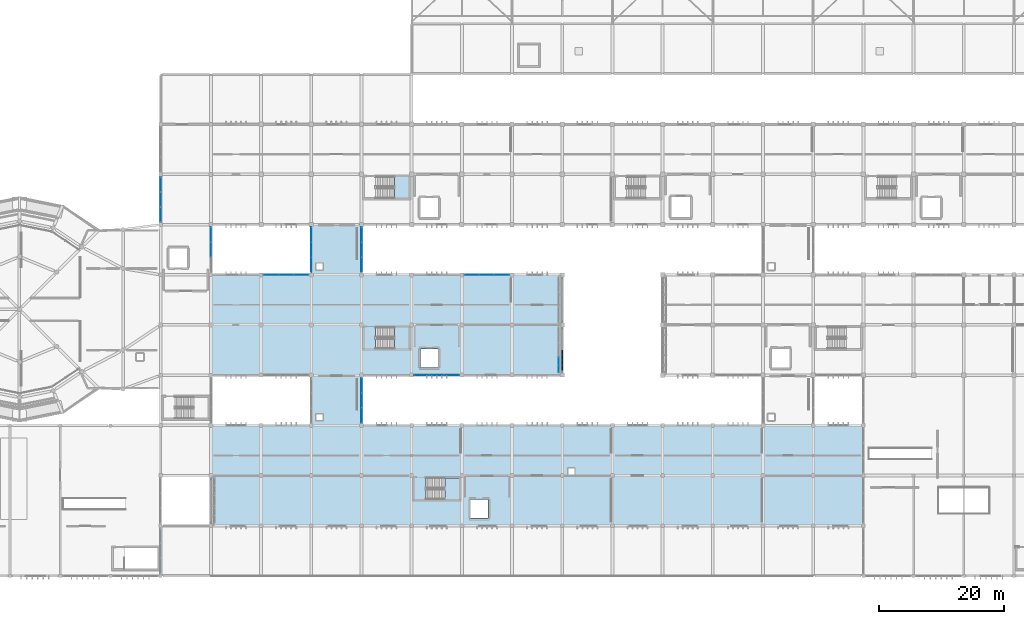
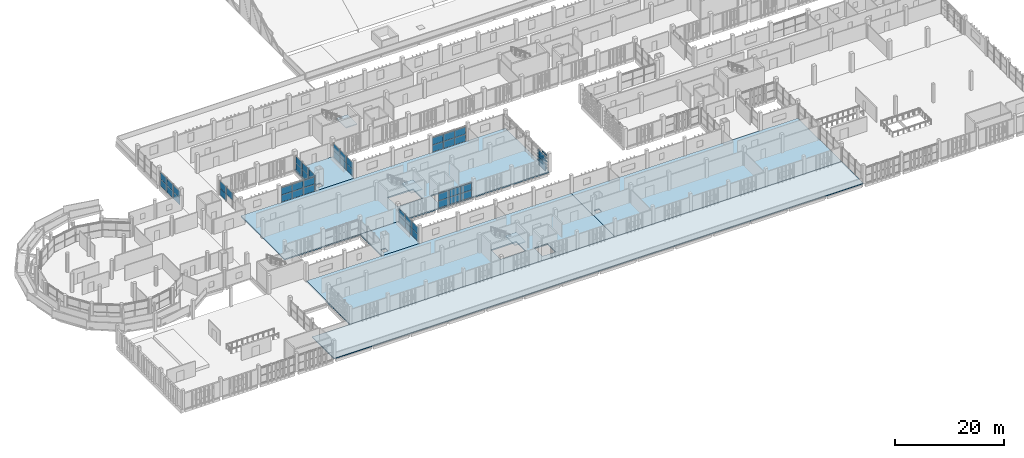
# One storey, part 92 of 137: 56 plates, 9 slabs, 12 elements without a shape of their own.
"""IFC4 building model written with IfcOpenShell, lengths in metres."""

from ifc_helpers import new_model, si_unit, direction, frame, origin, origin_2d, place, context, subcontext, project, spatial, polyline, rectangle, outline, extrude, material, layer, layer_set, type_object, element, aggregate, save


model = new_model("IFC4")

# Units and contexts
model_context = context("Model", 3, precision=1e-05, world=origin(), true_north=direction((0.0, 1.0)))
body_context = subcontext(model_context, "Body", "Model", "MODEL_VIEW")
ifc_project = project(units=[si_unit("LENGTHUNIT", "METRE"), si_unit("AREAUNIT", "SQUARE_METRE"), si_unit("VOLUMEUNIT", "CUBIC_METRE"), si_unit("PLANEANGLEUNIT", "RADIAN"), si_unit("MASSUNIT", "GRAM", prefix="KILO")], contexts=[model_context])

# Site, building, storey
site_placement = place(None, origin())
site = spatial("IfcSite", under=ifc_project, at=site_placement, CompositionType="ELEMENT")
building_placement = place(site_placement, origin())
building = spatial("IfcBuilding", under=site, at=building_placement, Name="Jelvoka-Kovrelna Polytechnic", CompositionType="ELEMENT")
storey_placement = place(building_placement, frame((0.0, 0.0, 9.60009765625)))
storey = spatial("IfcBuildingStorey", under=building, at=storey_placement, Name="L03", CompositionType="ELEMENT", Elevation=9.60009765625)

# Curtain wall, plates
ifc_material_1 = material(Name="Anodised aluminium 6063-T6", Category="aluminium")
ifc_layer_1 = layer(ifc_material_1, 0.159912109375)
ifc_layer_set_1 = layer_set([ifc_layer_1], Name="Anodised aluminium 6063-T6")
curtain_wall_type_1 = type_object("IfcCurtainWallType", Name="CW_Recessed_A", PredefinedType="NOTDEFINED", material=ifc_layer_set_1)
curtain_wall_1_placement = place(storey_placement, origin())
curtain_wall_1 = element("IfcCurtainWall", 1, at=curtain_wall_1_placement, inside=storey, type_object=curtain_wall_type_1, Name="L03 glazed curtain wall 022", PredefinedType="NOTDEFINED")
ifc_material_2 = material(Name="Solar-control double glazing", Category="glass")
ifc_layer_2 = layer(ifc_material_2, 0.028076171875)
ifc_layer_set_2 = layer_set([ifc_layer_2], Name="Solar-control double glazing")
plate_type_1 = type_object("IfcPlateType", Name="Panel_GP-01", PredefinedType="CURTAIN_PANEL", material=ifc_layer_set_2)
plate_1_placement = place(storey_placement, frame((65.614990234375, 48.0, 0.052001953125), z_axis=(0.0, 0.0, 1.0), x_axis=(1.0, 0.0, 0.0)))
plate_1 = element("IfcPlate", 2, at=plate_1_placement, type_object=plate_type_1, Name="CW-01 panel 1.1", PredefinedType="CURTAIN_PANEL", context=body_context, shape_type="SweptSolid", body=[
    extrude(rectangle(XDim=2.326171875, YDim=0.028076171875, at=origin_2d()), origin(), (0.0, 0.0, 1.0), 1.588623046875),
])
plate_2_placement = place(storey_placement, frame((65.614990234375, 48.0, 1.684326171875), z_axis=(0.0, 0.0, 1.0), x_axis=(1.0, 0.0, 0.0)))
plate_2 = element("IfcPlate", 3, at=plate_2_placement, type_object=plate_type_1, Name="CW-01 panel 1.2", PredefinedType="CURTAIN_PANEL", context=body_context, shape_type="SweptSolid", body=[
    extrude(rectangle(XDim=2.326171875, YDim=0.028076171875, at=origin_2d()), origin(), (0.0, 0.0, 1.0), 1.588623046875),
])
plate_3_placement = place(storey_placement, frame((68.0, 48.0, 0.052001953125), z_axis=(0.0, 0.0, 1.0), x_axis=(1.0, 0.0, 0.0)))
plate_3 = element("IfcPlate", 4, at=plate_3_placement, type_object=plate_type_1, Name="CW-01 panel 2.1", PredefinedType="CURTAIN_PANEL", context=body_context, shape_type="SweptSolid", body=[
    extrude(rectangle(XDim=2.356201171875, YDim=0.028076171875, at=origin_2d()), origin(), (0.0, 0.0, 1.0), 1.588623046875),
])
plate_4_placement = place(storey_placement, frame((68.0, 48.0, 1.684326171875), z_axis=(0.0, 0.0, 1.0), x_axis=(1.0, 0.0, 0.0)))
plate_4 = element("IfcPlate", 5, at=plate_4_placement, type_object=plate_type_1, Name="CW-01 panel 2.2", PredefinedType="CURTAIN_PANEL", context=body_context, shape_type="SweptSolid", body=[
    extrude(rectangle(XDim=2.356201171875, YDim=0.028076171875, at=origin_2d()), origin(), (0.0, 0.0, 1.0), 1.588623046875),
])
plate_5_placement = place(storey_placement, frame((70.385009765625, 48.0, 0.052001953125), z_axis=(0.0, 0.0, 1.0), x_axis=(1.0, 0.0, 0.0)))
plate_5 = element("IfcPlate", 6, at=plate_5_placement, type_object=plate_type_1, Name="CW-01 panel 3.1", PredefinedType="CURTAIN_PANEL", context=body_context, shape_type="SweptSolid", body=[
    extrude(rectangle(XDim=2.326171875, YDim=0.028076171875, at=origin_2d()), origin(), (0.0, 0.0, 1.0), 1.588623046875),
])
plate_6_placement = place(storey_placement, frame((70.385009765625, 48.0, 1.684326171875), z_axis=(0.0, 0.0, 1.0), x_axis=(1.0, 0.0, 0.0)))
plate_6 = element("IfcPlate", 7, at=plate_6_placement, type_object=plate_type_1, Name="CW-01 panel 3.2", PredefinedType="CURTAIN_PANEL", context=body_context, shape_type="SweptSolid", body=[
    extrude(rectangle(XDim=2.326171875, YDim=0.028076171875, at=origin_2d()), origin(), (0.0, 0.0, 1.0), 1.588623046875),
])
aggregate(curtain_wall_1, [plate_1, plate_2, plate_3, plate_4, plate_5, plate_6])

curtain_wall_2_placement = place(storey_placement, origin())
curtain_wall_2 = element("IfcCurtainWall", 8, at=curtain_wall_2_placement, inside=storey, type_object=curtain_wall_type_1, Name="L03 glazed curtain wall 023", PredefinedType="NOTDEFINED")
plate_7_placement = place(storey_placement, frame((94.385009765625, 32.0, 0.052001953125), z_axis=(0.0, 0.0, 1.0), x_axis=(-1.0, 0.0, 0.0)))
plate_7 = element("IfcPlate", 9, at=plate_7_placement, type_object=plate_type_1, Name="CW-01 panel 1.1", PredefinedType="CURTAIN_PANEL", context=body_context, shape_type="SweptSolid", body=[
    extrude(rectangle(XDim=2.326171875, YDim=0.028076171875, at=origin_2d()), origin(), (0.0, 0.0, 1.0), 1.588623046875),
])
plate_8_placement = place(storey_placement, frame((94.385009765625, 32.0, 1.684326171875), z_axis=(0.0, 0.0, 1.0), x_axis=(-1.0, 0.0, 0.0)))
plate_8 = element("IfcPlate", 10, at=plate_8_placement, type_object=plate_type_1, Name="CW-01 panel 1.2", PredefinedType="CURTAIN_PANEL", context=body_context, shape_type="SweptSolid", body=[
    extrude(rectangle(XDim=2.326171875, YDim=0.028076171875, at=origin_2d()), origin(), (0.0, 0.0, 1.0), 1.588623046875),
])
plate_9_placement = place(storey_placement, frame((92.0, 32.0, 0.052001953125), z_axis=(0.0, 0.0, 1.0), x_axis=(-1.0, 0.0, 0.0)))
plate_9 = element("IfcPlate", 11, at=plate_9_placement, type_object=plate_type_1, Name="CW-01 panel 2.1", PredefinedType="CURTAIN_PANEL", context=body_context, shape_type="SweptSolid", body=[
    extrude(rectangle(XDim=2.356201171875, YDim=0.028076171875, at=origin_2d()), origin(), (0.0, 0.0, 1.0), 1.588623046875),
])
plate_10_placement = place(storey_placement, frame((92.0, 32.0, 1.684326171875), z_axis=(0.0, 0.0, 1.0), x_axis=(-1.0, 0.0, 0.0)))
plate_10 = element("IfcPlate", 12, at=plate_10_placement, type_object=plate_type_1, Name="CW-01 panel 2.2", PredefinedType="CURTAIN_PANEL", context=body_context, shape_type="SweptSolid", body=[
    extrude(rectangle(XDim=2.356201171875, YDim=0.028076171875, at=origin_2d()), origin(), (0.0, 0.0, 1.0), 1.588623046875),
])
plate_11_placement = place(storey_placement, frame((89.614990234375, 32.0, 0.052001953125), z_axis=(0.0, 0.0, 1.0), x_axis=(-1.0, 0.0, 0.0)))
plate_11 = element("IfcPlate", 13, at=plate_11_placement, type_object=plate_type_1, Name="CW-01 panel 3.1", PredefinedType="CURTAIN_PANEL", context=body_context, shape_type="SweptSolid", body=[
    extrude(rectangle(XDim=2.326171875, YDim=0.028076171875, at=origin_2d()), origin(), (0.0, 0.0, 1.0), 1.588623046875),
])
plate_12_placement = place(storey_placement, frame((89.614990234375, 32.0, 1.684326171875), z_axis=(0.0, 0.0, 1.0), x_axis=(-1.0, 0.0, 0.0)))
plate_12 = element("IfcPlate", 14, at=plate_12_placement, type_object=plate_type_1, Name="CW-01 panel 3.2", PredefinedType="CURTAIN_PANEL", context=body_context, shape_type="SweptSolid", body=[
    extrude(rectangle(XDim=2.326171875, YDim=0.028076171875, at=origin_2d()), origin(), (0.0, 0.0, 1.0), 1.588623046875),
])
aggregate(curtain_wall_2, [plate_7, plate_8, plate_9, plate_10, plate_11, plate_12])

curtain_wall_3_placement = place(storey_placement, origin())
curtain_wall_3 = element("IfcCurtainWall", 15, at=curtain_wall_3_placement, inside=storey, type_object=curtain_wall_type_1, Name="L03 glazed curtain wall 024", PredefinedType="NOTDEFINED")
plate_13_placement = place(storey_placement, frame((97.614990234375, 48.0, 0.052001953125), z_axis=(0.0, 0.0, 1.0), x_axis=(1.0, 0.0, 0.0)))
plate_13 = element("IfcPlate", 16, at=plate_13_placement, type_object=plate_type_1, Name="CW-01 panel 1.1", PredefinedType="CURTAIN_PANEL", context=body_context, shape_type="SweptSolid", body=[
    extrude(rectangle(XDim=2.326171875, YDim=0.028076171875, at=origin_2d()), origin(), (0.0, 0.0, 1.0), 1.588623046875),
])
plate_14_placement = place(storey_placement, frame((97.614990234375, 48.0, 1.684326171875), z_axis=(0.0, 0.0, 1.0), x_axis=(1.0, 0.0, 0.0)))
plate_14 = element("IfcPlate", 17, at=plate_14_placement, type_object=plate_type_1, Name="CW-01 panel 1.2", PredefinedType="CURTAIN_PANEL", context=body_context, shape_type="SweptSolid", body=[
    extrude(rectangle(XDim=2.326171875, YDim=0.028076171875, at=origin_2d()), origin(), (0.0, 0.0, 1.0), 1.588623046875),
])
plate_15_placement = place(storey_placement, frame((100.0, 48.0, 0.052001953125), z_axis=(0.0, 0.0, 1.0), x_axis=(1.0, 0.0, 0.0)))
plate_15 = element("IfcPlate", 18, at=plate_15_placement, type_object=plate_type_1, Name="CW-01 panel 2.1", PredefinedType="CURTAIN_PANEL", context=body_context, shape_type="SweptSolid", body=[
    extrude(rectangle(XDim=2.356201171875, YDim=0.028076171875, at=origin_2d()), origin(), (0.0, 0.0, 1.0), 1.588623046875),
])
plate_16_placement = place(storey_placement, frame((100.0, 48.0, 1.684326171875), z_axis=(0.0, 0.0, 1.0), x_axis=(1.0, 0.0, 0.0)))
plate_16 = element("IfcPlate", 19, at=plate_16_placement, type_object=plate_type_1, Name="CW-01 panel 2.2", PredefinedType="CURTAIN_PANEL", context=body_context, shape_type="SweptSolid", body=[
    extrude(rectangle(XDim=2.356201171875, YDim=0.028076171875, at=origin_2d()), origin(), (0.0, 0.0, 1.0), 1.588623046875),
])
plate_17_placement = place(storey_placement, frame((102.385009765625, 48.0, 0.052001953125), z_axis=(0.0, 0.0, 1.0), x_axis=(1.0, 0.0, 0.0)))
plate_17 = element("IfcPlate", 20, at=plate_17_placement, type_object=plate_type_1, Name="CW-01 panel 3.1", PredefinedType="CURTAIN_PANEL", context=body_context, shape_type="SweptSolid", body=[
    extrude(rectangle(XDim=2.326171875, YDim=0.028076171875, at=origin_2d()), origin(), (0.0, 0.0, 1.0), 1.588623046875),
])
plate_18_placement = place(storey_placement, frame((102.385009765625, 48.0, 1.684326171875), z_axis=(0.0, 0.0, 1.0), x_axis=(1.0, 0.0, 0.0)))
plate_18 = element("IfcPlate", 21, at=plate_18_placement, type_object=plate_type_1, Name="CW-01 panel 3.2", PredefinedType="CURTAIN_PANEL", context=body_context, shape_type="SweptSolid", body=[
    extrude(rectangle(XDim=2.326171875, YDim=0.028076171875, at=origin_2d()), origin(), (0.0, 0.0, 1.0), 1.588623046875),
])
aggregate(curtain_wall_3, [plate_13, plate_14, plate_15, plate_16, plate_17, plate_18])

curtain_wall_4_placement = place(storey_placement, origin())
curtain_wall_4 = element("IfcCurtainWall", 22, at=curtain_wall_4_placement, inside=storey, type_object=curtain_wall_type_1, Name="L03 glazed curtain wall 025", PredefinedType="NOTDEFINED")
plate_19_placement = place(storey_placement, frame((111.43994140625, 33.614990234375, 0.0517578125), z_axis=(0.0, 0.0, 1.0), x_axis=(0.0, -1.0, 0.0)))
plate_19 = element("IfcPlate", 23, at=plate_19_placement, type_object=plate_type_1, Name="CW-01 panel 3.1", PredefinedType="CURTAIN_PANEL", context=body_context, shape_type="SweptSolid", body=[
    extrude(rectangle(XDim=2.326171875, YDim=0.028076171875, at=origin_2d()), origin(), (0.0, 0.0, 1.0), 1.60107421875),
])
plate_20_placement = place(storey_placement, frame((111.43994140625, 33.614990234375, 1.69677734375), z_axis=(0.0, 0.0, 1.0), x_axis=(0.0, -1.0, 0.0)))
plate_20 = element("IfcPlate", 24, at=plate_20_placement, type_object=plate_type_1, Name="CW-01 panel 3.2", PredefinedType="CURTAIN_PANEL", context=body_context, shape_type="SweptSolid", body=[
    extrude(rectangle(XDim=2.326171875, YDim=0.028076171875, at=origin_2d()), origin(), (0.0, 0.0, 1.0), 1.60107421875),
])
aggregate(curtain_wall_4, [plate_19, plate_20])

ifc_material_3 = material(Name="Anodised aluminium 6063-T6", Category="aluminium")
ifc_layer_3 = layer(ifc_material_3, 0.159912109375)
ifc_layer_set_3 = layer_set([ifc_layer_3], Name="Anodised aluminium 6063-T6")
curtain_wall_type_2 = type_object("IfcCurtainWallType", Name="CW_LinkBridge", PredefinedType="NOTDEFINED", material=ifc_layer_set_3)
curtain_wall_5_placement = place(storey_placement, origin())
curtain_wall_5 = element("IfcCurtainWall", 25, at=curtain_wall_5_placement, inside=storey, type_object=curtain_wall_type_2, Name="L03 glazed curtain wall 122", PredefinedType="NOTDEFINED")
ifc_material_4 = material(Name="Solar-control double glazing", Category="glass")
ifc_layer_4 = layer(ifc_material_4, 0.02392578125)
ifc_layer_set_4 = layer_set([ifc_layer_4], Name="Solar-control double glazing")
plate_type_2 = type_object("IfcPlateType", Name="Panel_GP-04", PredefinedType="CURTAIN_PANEL", material=ifc_layer_set_4)
plate_21_placement = place(storey_placement, frame((72.0, 49.614990234375, 0.0517578125), z_axis=(0.0, 0.0, 1.0), x_axis=(0.0, 1.0, 0.0)))
plate_21 = element("IfcPlate", 26, at=plate_21_placement, type_object=plate_type_2, Name="CW-04 panel 1.1", PredefinedType="CURTAIN_PANEL", context=body_context, shape_type="SweptSolid", body=[
    extrude(rectangle(XDim=2.326171875, YDim=0.02392578125, at=origin_2d()), origin(), (0.0, 0.0, 1.0), 1.53857421875),
])
plate_22_placement = place(storey_placement, frame((72.0, 49.614990234375, 1.63427734375), z_axis=(0.0, 0.0, 1.0), x_axis=(0.0, 1.0, 0.0)))
plate_22 = element("IfcPlate", 27, at=plate_22_placement, type_object=plate_type_2, Name="CW-04 panel 1.2", PredefinedType="CURTAIN_PANEL", context=body_context, shape_type="SweptSolid", body=[
    extrude(rectangle(XDim=2.326171875, YDim=0.02392578125, at=origin_2d()), origin(), (0.0, 0.0, 1.0), 1.53857421875),
])
plate_23_placement = place(storey_placement, frame((72.0, 52.0, 0.0517578125), z_axis=(0.0, 0.0, 1.0), x_axis=(0.0, 1.0, 0.0)))
plate_23 = element("IfcPlate", 28, at=plate_23_placement, type_object=plate_type_2, Name="CW-04 panel 2.1", PredefinedType="CURTAIN_PANEL", context=body_context, shape_type="SweptSolid", body=[
    extrude(rectangle(XDim=2.356201171875, YDim=0.02392578125, at=origin_2d()), origin(), (0.0, 0.0, 1.0), 1.53857421875),
])
plate_24_placement = place(storey_placement, frame((72.0, 52.0, 1.63427734375), z_axis=(0.0, 0.0, 1.0), x_axis=(0.0, 1.0, 0.0)))
plate_24 = element("IfcPlate", 29, at=plate_24_placement, type_object=plate_type_2, Name="CW-04 panel 2.2", PredefinedType="CURTAIN_PANEL", context=body_context, shape_type="SweptSolid", body=[
    extrude(rectangle(XDim=2.356201171875, YDim=0.02392578125, at=origin_2d()), origin(), (0.0, 0.0, 1.0), 1.53857421875),
])
plate_25_placement = place(storey_placement, frame((72.0, 54.385009765625, 0.0517578125), z_axis=(0.0, 0.0, 1.0), x_axis=(0.0, 1.0, 0.0)))
plate_25 = element("IfcPlate", 30, at=plate_25_placement, type_object=plate_type_2, Name="CW-04 panel 3.1", PredefinedType="CURTAIN_PANEL", context=body_context, shape_type="SweptSolid", body=[
    extrude(rectangle(XDim=2.326171875, YDim=0.02392578125, at=origin_2d()), origin(), (0.0, 0.0, 1.0), 1.53857421875),
])
plate_26_placement = place(storey_placement, frame((72.0, 54.385009765625, 1.63427734375), z_axis=(0.0, 0.0, 1.0), x_axis=(0.0, 1.0, 0.0)))
plate_26 = element("IfcPlate", 31, at=plate_26_placement, type_object=plate_type_2, Name="CW-04 panel 3.2", PredefinedType="CURTAIN_PANEL", context=body_context, shape_type="SweptSolid", body=[
    extrude(rectangle(XDim=2.326171875, YDim=0.02392578125, at=origin_2d()), origin(), (0.0, 0.0, 1.0), 1.53857421875),
])
aggregate(curtain_wall_5, [plate_21, plate_22, plate_23, plate_24, plate_25, plate_26])

curtain_wall_6_placement = place(storey_placement, origin())
curtain_wall_6 = element("IfcCurtainWall", 32, at=curtain_wall_6_placement, inside=storey, type_object=curtain_wall_type_2, Name="L03 glazed curtain wall 123", PredefinedType="NOTDEFINED")
plate_27_placement = place(storey_placement, frame((80.0, 54.385009765625, 0.0517578125), z_axis=(0.0, 0.0, 1.0), x_axis=(0.0, -1.0, 0.0)))
plate_27 = element("IfcPlate", 33, at=plate_27_placement, type_object=plate_type_2, Name="CW-04 panel 1.1", PredefinedType="CURTAIN_PANEL", context=body_context, shape_type="SweptSolid", body=[
    extrude(rectangle(XDim=2.326171875, YDim=0.02392578125, at=origin_2d()), origin(), (0.0, 0.0, 1.0), 1.53857421875),
])
plate_28_placement = place(storey_placement, frame((80.0, 54.385009765625, 1.63427734375), z_axis=(0.0, 0.0, 1.0), x_axis=(0.0, -1.0, 0.0)))
plate_28 = element("IfcPlate", 34, at=plate_28_placement, type_object=plate_type_2, Name="CW-04 panel 1.2", PredefinedType="CURTAIN_PANEL", context=body_context, shape_type="SweptSolid", body=[
    extrude(rectangle(XDim=2.326171875, YDim=0.02392578125, at=origin_2d()), origin(), (0.0, 0.0, 1.0), 1.53857421875),
])
plate_29_placement = place(storey_placement, frame((80.0, 52.0, 0.0517578125), z_axis=(0.0, 0.0, 1.0), x_axis=(0.0, -1.0, 0.0)))
plate_29 = element("IfcPlate", 35, at=plate_29_placement, type_object=plate_type_2, Name="CW-04 panel 2.1", PredefinedType="CURTAIN_PANEL", context=body_context, shape_type="SweptSolid", body=[
    extrude(rectangle(XDim=2.356201171875, YDim=0.02392578125, at=origin_2d()), origin(), (0.0, 0.0, 1.0), 1.53857421875),
])
plate_30_placement = place(storey_placement, frame((80.0, 52.0, 1.63427734375), z_axis=(0.0, 0.0, 1.0), x_axis=(0.0, -1.0, 0.0)))
plate_30 = element("IfcPlate", 36, at=plate_30_placement, type_object=plate_type_2, Name="CW-04 panel 2.2", PredefinedType="CURTAIN_PANEL", context=body_context, shape_type="SweptSolid", body=[
    extrude(rectangle(XDim=2.356201171875, YDim=0.02392578125, at=origin_2d()), origin(), (0.0, 0.0, 1.0), 1.53857421875),
])
plate_31_placement = place(storey_placement, frame((80.0, 49.614990234375, 0.0517578125), z_axis=(0.0, 0.0, 1.0), x_axis=(0.0, -1.0, 0.0)))
plate_31 = element("IfcPlate", 37, at=plate_31_placement, type_object=plate_type_2, Name="CW-04 panel 3.1", PredefinedType="CURTAIN_PANEL", context=body_context, shape_type="SweptSolid", body=[
    extrude(rectangle(XDim=2.326171875, YDim=0.02392578125, at=origin_2d()), origin(), (0.0, 0.0, 1.0), 1.53857421875),
])
plate_32_placement = place(storey_placement, frame((80.0, 49.614990234375, 1.63427734375), z_axis=(0.0, 0.0, 1.0), x_axis=(0.0, -1.0, 0.0)))
plate_32 = element("IfcPlate", 38, at=plate_32_placement, type_object=plate_type_2, Name="CW-04 panel 3.2", PredefinedType="CURTAIN_PANEL", context=body_context, shape_type="SweptSolid", body=[
    extrude(rectangle(XDim=2.326171875, YDim=0.02392578125, at=origin_2d()), origin(), (0.0, 0.0, 1.0), 1.53857421875),
])
aggregate(curtain_wall_6, [plate_27, plate_28, plate_29, plate_30, plate_31, plate_32])

curtain_wall_7_placement = place(storey_placement, origin())
curtain_wall_7 = element("IfcCurtainWall", 39, at=curtain_wall_7_placement, inside=storey, type_object=curtain_wall_type_2, Name="L03 glazed curtain wall 125", PredefinedType="NOTDEFINED")
plate_33_placement = place(storey_placement, frame((80.0, 30.385009765625, 0.0517578125), z_axis=(0.0, 0.0, 1.0), x_axis=(0.0, -1.0, 0.0)))
plate_33 = element("IfcPlate", 40, at=plate_33_placement, type_object=plate_type_2, Name="CW-04 panel 1.1", PredefinedType="CURTAIN_PANEL", context=body_context, shape_type="SweptSolid", body=[
    extrude(rectangle(XDim=2.326171875, YDim=0.02392578125, at=origin_2d()), origin(), (0.0, 0.0, 1.0), 1.53857421875),
])
plate_34_placement = place(storey_placement, frame((80.0, 30.385009765625, 1.63427734375), z_axis=(0.0, 0.0, 1.0), x_axis=(0.0, -1.0, 0.0)))
plate_34 = element("IfcPlate", 41, at=plate_34_placement, type_object=plate_type_2, Name="CW-04 panel 1.2", PredefinedType="CURTAIN_PANEL", context=body_context, shape_type="SweptSolid", body=[
    extrude(rectangle(XDim=2.326171875, YDim=0.02392578125, at=origin_2d()), origin(), (0.0, 0.0, 1.0), 1.53857421875),
])
plate_35_placement = place(storey_placement, frame((80.0, 28.0, 0.0517578125), z_axis=(0.0, 0.0, 1.0), x_axis=(0.0, -1.0, 0.0)))
plate_35 = element("IfcPlate", 42, at=plate_35_placement, type_object=plate_type_2, Name="CW-04 panel 2.1", PredefinedType="CURTAIN_PANEL", context=body_context, shape_type="SweptSolid", body=[
    extrude(rectangle(XDim=2.356201171875, YDim=0.02392578125, at=origin_2d()), origin(), (0.0, 0.0, 1.0), 1.53857421875),
])
plate_36_placement = place(storey_placement, frame((80.0, 28.0, 1.63427734375), z_axis=(0.0, 0.0, 1.0), x_axis=(0.0, -1.0, 0.0)))
plate_36 = element("IfcPlate", 43, at=plate_36_placement, type_object=plate_type_2, Name="CW-04 panel 2.2", PredefinedType="CURTAIN_PANEL", context=body_context, shape_type="SweptSolid", body=[
    extrude(rectangle(XDim=2.356201171875, YDim=0.02392578125, at=origin_2d()), origin(), (0.0, 0.0, 1.0), 1.53857421875),
])
plate_37_placement = place(storey_placement, frame((80.0, 25.614990234375, 0.0517578125), z_axis=(0.0, 0.0, 1.0), x_axis=(0.0, -1.0, 0.0)))
plate_37 = element("IfcPlate", 44, at=plate_37_placement, type_object=plate_type_2, Name="CW-04 panel 3.1", PredefinedType="CURTAIN_PANEL", context=body_context, shape_type="SweptSolid", body=[
    extrude(rectangle(XDim=2.326171875, YDim=0.02392578125, at=origin_2d()), origin(), (0.0, 0.0, 1.0), 1.53857421875),
])
plate_38_placement = place(storey_placement, frame((80.0, 25.614990234375, 1.63427734375), z_axis=(0.0, 0.0, 1.0), x_axis=(0.0, -1.0, 0.0)))
plate_38 = element("IfcPlate", 45, at=plate_38_placement, type_object=plate_type_2, Name="CW-04 panel 3.2", PredefinedType="CURTAIN_PANEL", context=body_context, shape_type="SweptSolid", body=[
    extrude(rectangle(XDim=2.326171875, YDim=0.02392578125, at=origin_2d()), origin(), (0.0, 0.0, 1.0), 1.53857421875),
])
aggregate(curtain_wall_7, [plate_33, plate_34, plate_35, plate_36, plate_37, plate_38])

ifc_material_5 = material(Name="Anodised aluminium 6063-T6", Category="aluminium")
ifc_layer_5 = layer(ifc_material_5, 0.179931640625)
ifc_layer_set_5 = layer_set([ifc_layer_5], Name="Anodised aluminium 6063-T6")
curtain_wall_type_3 = type_object("IfcCurtainWallType", Name="CW_Pavilion", PredefinedType="NOTDEFINED", material=ifc_layer_set_5)
curtain_wall_8_placement = place(storey_placement, origin())
curtain_wall_8 = element("IfcCurtainWall", 46, at=curtain_wall_8_placement, inside=storey, type_object=curtain_wall_type_3, Name="L03 glazed curtain wall 129", PredefinedType="NOTDEFINED")
ifc_material_6 = material(Name="Solar-control double glazing", Category="glass")
ifc_layer_6 = layer(ifc_material_6, 0.030029296875)
ifc_layer_set_6 = layer_set([ifc_layer_6], Name="Solar-control double glazing")
plate_type_3 = type_object("IfcPlateType", Name="Panel_GP-05", PredefinedType="CURTAIN_PANEL", material=ifc_layer_set_6)
plate_39_placement = place(storey_placement, frame((56.0, 54.3837890625, 0.056884765625), z_axis=(0.0, 0.0, 1.0), x_axis=(0.0, -1.0, 0.0)))
plate_39 = element("IfcPlate", 47, at=plate_39_placement, type_object=plate_type_3, Name="CW-05 panel 1.1", PredefinedType="CURTAIN_PANEL", context=body_context, shape_type="SweptSolid", body=[
    extrude(rectangle(XDim=2.318603515625, YDim=0.030029296875, at=origin_2d()), origin(), (0.0, 0.0, 1.0), 1.531005859375),
])
plate_40_placement = place(storey_placement, frame((56.0, 54.3837890625, 1.636962890625), z_axis=(0.0, 0.0, 1.0), x_axis=(0.0, -1.0, 0.0)))
plate_40 = element("IfcPlate", 48, at=plate_40_placement, type_object=plate_type_3, Name="CW-05 panel 1.2", PredefinedType="CURTAIN_PANEL", context=body_context, shape_type="SweptSolid", body=[
    extrude(rectangle(XDim=2.318603515625, YDim=0.030029296875, at=origin_2d()), origin(), (0.0, 0.0, 1.0), 1.531005859375),
])
plate_41_placement = place(storey_placement, frame((56.0, 52.0, 1.636962890625), z_axis=(0.0, 0.0, 1.0), x_axis=(0.0, -1.0, 0.0)))
plate_41 = element("IfcPlate", 49, at=plate_41_placement, type_object=plate_type_3, Name="CW-05 panel 2.2", PredefinedType="CURTAIN_PANEL", context=body_context, shape_type="SweptSolid", body=[
    extrude(rectangle(XDim=2.35107421875, YDim=0.030029296875, at=origin_2d()), origin(), (0.0, 0.0, 1.0), 1.531005859375),
])
aggregate(curtain_wall_8, [plate_39, plate_40, plate_41])

curtain_wall_9_placement = place(storey_placement, origin())
curtain_wall_9 = element("IfcCurtainWall", 50, at=curtain_wall_9_placement, inside=storey, type_object=curtain_wall_type_3, Name="L03 glazed curtain wall 130", PredefinedType="NOTDEFINED")
plate_42_placement = place(storey_placement, frame((48.0, 57.6162109375, 0.056884765625), z_axis=(0.0, 0.0, 1.0), x_axis=(0.0, 1.0, 0.0)))
plate_42 = element("IfcPlate", 51, at=plate_42_placement, type_object=plate_type_3, Name="CW-05 panel 1.1", PredefinedType="CURTAIN_PANEL", context=body_context, shape_type="SweptSolid", body=[
    extrude(rectangle(XDim=2.318603515625, YDim=0.030029296875, at=origin_2d()), origin(), (0.0, 0.0, 1.0), 1.531005859375),
])
plate_43_placement = place(storey_placement, frame((48.0, 57.6162109375, 1.636962890625), z_axis=(0.0, 0.0, 1.0), x_axis=(0.0, 1.0, 0.0)))
plate_43 = element("IfcPlate", 52, at=plate_43_placement, type_object=plate_type_3, Name="CW-05 panel 1.2", PredefinedType="CURTAIN_PANEL", context=body_context, shape_type="SweptSolid", body=[
    extrude(rectangle(XDim=2.318603515625, YDim=0.030029296875, at=origin_2d()), origin(), (0.0, 0.0, 1.0), 1.531005859375),
])
plate_44_placement = place(storey_placement, frame((48.0, 60.0, 0.056884765625), z_axis=(0.0, 0.0, 1.0), x_axis=(0.0, 1.0, 0.0)))
plate_44 = element("IfcPlate", 53, at=plate_44_placement, type_object=plate_type_3, Name="CW-05 panel 2.1", PredefinedType="CURTAIN_PANEL", context=body_context, shape_type="SweptSolid", body=[
    extrude(rectangle(XDim=2.35107421875, YDim=0.030029296875, at=origin_2d()), origin(), (0.0, 0.0, 1.0), 1.531005859375),
])
plate_45_placement = place(storey_placement, frame((48.0, 60.0, 1.636962890625), z_axis=(0.0, 0.0, 1.0), x_axis=(0.0, 1.0, 0.0)))
plate_45 = element("IfcPlate", 54, at=plate_45_placement, type_object=plate_type_3, Name="CW-05 panel 2.2", PredefinedType="CURTAIN_PANEL", context=body_context, shape_type="SweptSolid", body=[
    extrude(rectangle(XDim=2.35107421875, YDim=0.030029296875, at=origin_2d()), origin(), (0.0, 0.0, 1.0), 1.531005859375),
])
plate_46_placement = place(storey_placement, frame((48.0, 62.3837890625, 0.056884765625), z_axis=(0.0, 0.0, 1.0), x_axis=(0.0, 1.0, 0.0)))
plate_46 = element("IfcPlate", 55, at=plate_46_placement, type_object=plate_type_3, Name="CW-05 panel 3.1", PredefinedType="CURTAIN_PANEL", context=body_context, shape_type="SweptSolid", body=[
    extrude(rectangle(XDim=2.318603515625, YDim=0.030029296875, at=origin_2d()), origin(), (0.0, 0.0, 1.0), 1.531005859375),
])
plate_47_placement = place(storey_placement, frame((48.0, 62.3837890625, 1.636962890625), z_axis=(0.0, 0.0, 1.0), x_axis=(0.0, 1.0, 0.0)))
plate_47 = element("IfcPlate", 56, at=plate_47_placement, type_object=plate_type_3, Name="CW-05 panel 3.2", PredefinedType="CURTAIN_PANEL", context=body_context, shape_type="SweptSolid", body=[
    extrude(rectangle(XDim=2.318603515625, YDim=0.030029296875, at=origin_2d()), origin(), (0.0, 0.0, 1.0), 1.531005859375),
])
aggregate(curtain_wall_9, [plate_42, plate_43, plate_44, plate_45, plate_46, plate_47])

# Plates
ifc_material_7 = material(Name="Perforated fired terracotta block", Category="masonry")
ifc_layer_7 = layer(ifc_material_7, 0.179931640625)
ifc_layer_set_7 = layer_set([ifc_layer_7], Name="Perforated fired terracotta block")
plate_type_4 = type_object("IfcPlateType", Name="Screen_Terracotta_TP02", PredefinedType="USERDEFINED", material=ifc_layer_set_7)
for number, where, z_axis, x_axis, name in (
    (57, (111.97998046875, 33.60009765625, 0.19970703125), (0.0, 0.0, 1.0), (0.0, 1.0, 0.0), "L03 perforated terracotta lattice band 0241"),
    (58, (111.97998046875, 33.60009765625, 0.892578125), (0.0, 0.0, 1.0), (0.0, 1.0, 0.0), "L03 perforated terracotta lattice band 0242"),
    (59, (111.97998046875, 33.60009765625, 1.5849609375), (0.0, 0.0, 1.0), (0.0, 1.0, 0.0), "L03 perforated terracotta lattice band 0243"),
    (60, (111.97998046875, 33.60009765625, 2.27734375), (0.0, 0.0, 1.0), (0.0, 1.0, 0.0), "L03 perforated terracotta lattice band 0244"),
    (61, (111.97998046875, 33.60009765625, 2.9697265625), (0.0, 0.0, 1.0), (0.0, 1.0, 0.0), "L03 perforated terracotta lattice band 0245"),
    (62, (111.97998046875, 35.199951171875, 0.19970703125), (0.0, 0.0, 1.0), (0.0, 1.0, 0.0), "L03 perforated terracotta lattice band 0246"),
    (63, (111.97998046875, 35.199951171875, 0.892578125), (0.0, 0.0, 1.0), (0.0, 1.0, 0.0), "L03 perforated terracotta lattice band 0247"),
    (64, (111.97998046875, 35.199951171875, 1.5849609375), (0.0, 0.0, 1.0), (0.0, 1.0, 0.0), "L03 perforated terracotta lattice band 0248"),
    (65, (111.97998046875, 35.199951171875, 2.27734375), (0.0, 0.0, 1.0), (0.0, 1.0, 0.0), "L03 perforated terracotta lattice band 0249"),
):
    element("IfcPlate", number, at=place(storey_placement, frame(where, z_axis=z_axis, x_axis=x_axis)), inside=storey, type_object=plate_type_4, Name=name, ObjectType="SCREEN PANEL", PredefinedType="USERDEFINED", context=body_context, shape_type="SweptSolid", body=[
        extrude(rectangle(XDim=1.60009765625, YDim=0.179931640625, at=origin_2d()), origin(), (0.0, 0.0, 1.0), 0.239990234375),
    ])

# Slabs
ifc_material_8 = material(Name="Concrete C35/45", Category="concrete")
ifc_layer_8 = layer(ifc_material_8, 0.264892578125)
ifc_layer_set_8 = layer_set([ifc_layer_8], Name="Concrete C35/45")
slab_type_1 = type_object("IfcSlabType", Name="Slab_Floor_265", PredefinedType="FLOOR", material=ifc_layer_set_8)
slab_1_placement = place(storey_placement, frame((0.0, 0.0, -0.26513671875)))
element("IfcSlab", 66, at=slab_1_placement, inside=storey, type_object=slab_type_1, Name="L03 B1W structural slab", PredefinedType="FLOOR", context=body_context, shape_type="SweptSolid", body=[
    extrude(outline(polyline([(56.0, 8.0), (112.0, 8.0), (112.0, 24.0), (56.0, 24.0), (56.0, 8.0)]), holes=[polyline([(97.39990234375, 9.199951171875), (100.199951171875, 9.199951171875), (100.199951171875, 12.199951171875), (97.39990234375, 12.199951171875), (97.39990234375, 9.199951171875)]), polyline([(90.264892578125, 12.199951171875), (95.60009765625, 12.199951171875), (95.60009765625, 15.639892578125), (90.264892578125, 15.639892578125), (90.264892578125, 12.199951171875)])]), origin(), (0.0, 0.0, 1.0), 0.26513671875),
])
slab_2_placement = place(storey_placement, frame((0.0, 0.0, -0.26513671875)))
element("IfcSlab", 67, at=slab_2_placement, inside=storey, type_object=slab_type_1, Name="L03 B1E structural slab", PredefinedType="FLOOR", context=body_context, shape_type="SweptSolid", body=[
    extrude(outline(polyline([(112.0, 8.0), (160.0, 8.0), (160.0, 24.0), (112.0, 24.0), (112.0, 8.0)]), holes=[polyline([(112.949951171875, 16.14990234375), (113.949951171875, 16.14990234375), (113.949951171875, 17.14990234375), (112.949951171875, 17.14990234375), (112.949951171875, 16.14990234375)])]), origin(), (0.0, 0.0, 1.0), 0.26513671875),
])
slab_3_placement = place(storey_placement, frame((0.0, 0.0, -0.26513671875)))
element("IfcSlab", 68, at=slab_3_placement, inside=storey, type_object=slab_type_1, Name="L03 B2W structural slab", PredefinedType="FLOOR", context=body_context, shape_type="SweptSolid", body=[
    extrude(outline(polyline([(56.0, 32.0), (112.0, 32.0), (112.0, 48.0), (56.0, 48.0), (56.0, 32.0)]), holes=[polyline([(89.39990234375, 33.199951171875), (92.199951171875, 33.199951171875), (92.199951171875, 36.199951171875), (89.39990234375, 36.199951171875), (89.39990234375, 33.199951171875)]), polyline([(82.264892578125, 36.199951171875), (87.60009765625, 36.199951171875), (87.60009765625, 39.639892578125), (82.264892578125, 39.639892578125), (82.264892578125, 36.199951171875)])]), origin(), (0.0, 0.0, 1.0), 0.26513671875),
])
slab_4_placement = place(storey_placement, frame((0.0, 0.0, -0.26513671875)))
element("IfcSlab", 69, at=slab_4_placement, inside=storey, type_object=slab_type_1, Name="L03 LNKSW structural slab", PredefinedType="FLOOR", context=body_context, shape_type="SweptSolid", body=[
    extrude(outline(polyline([(72.0, 24.0), (80.0, 24.0), (80.0, 32.0), (72.0, 32.0), (72.0, 24.0)]), holes=[polyline([(72.800048828125, 24.800048828125), (73.800048828125, 24.800048828125), (73.800048828125, 25.800048828125), (72.800048828125, 25.800048828125), (72.800048828125, 24.800048828125)])]), origin(), (0.0, 0.0, 1.0), 0.26513671875),
])
slab_5_placement = place(storey_placement, frame((0.0, 0.0, -0.26513671875)))
element("IfcSlab", 70, at=slab_5_placement, inside=storey, type_object=slab_type_1, Name="L03 LNKNW structural slab", PredefinedType="FLOOR", context=body_context, shape_type="SweptSolid", body=[
    extrude(outline(polyline([(72.0, 48.0), (80.0, 48.0), (80.0, 56.0), (72.0, 56.0), (72.0, 48.0)]), holes=[polyline([(72.800048828125, 48.800048828125), (73.800048828125, 48.800048828125), (73.800048828125, 49.800048828125), (72.800048828125, 49.800048828125), (72.800048828125, 48.800048828125)])]), origin(), (0.0, 0.0, 1.0), 0.26513671875),
])
ifc_material_9 = material(Name="Concrete C40/50", Category="concrete")
ifc_layer_9 = layer(ifc_material_9, 0.18994140625)
ifc_layer_set_9 = layer_set([ifc_layer_9], Name="Concrete C40/50")
slab_type_2 = type_object("IfcSlabType", Name="Slab_Roof_Canopy_190", PredefinedType="ROOF", material=ifc_layer_set_9)
slab_6_placement = place(storey_placement, frame((0.0, 0.0, -0.190185546875)))
element("IfcSlab", 71, at=slab_6_placement, inside=storey, type_object=slab_type_2, Name="L03 south colonnade sun canopy roof", PredefinedType="ROOF", context=body_context, shape_type="SweptSolid", body=[
    extrude(outline(polyline([(48.0, 0.0), (160.0, 0.0), (160.0, 8.0), (48.0, 8.0), (48.0, 0.0)])), origin(), (0.0, 0.0, 1.0), 0.190185546875),
])

# Stair, slab
ifc_material_10 = material(Name="Concrete C35/45", Category="concrete")
stair_type = type_object("IfcStairType", Name="Stair_Dogleg_1620", PredefinedType="TWO_STRAIGHT_RUN_STAIR", material=ifc_material_10)
stair_1_placement = place(storey_placement, origin())
stair_1 = element("IfcStair", 72, at=stair_1_placement, inside=storey, type_object=stair_type, Name="L03 ST06", PredefinedType="TWO_STRAIGHT_RUN_STAIR")
ifc_material_11 = material(Name="Concrete C35/45", Category="concrete")
ifc_layer_10 = layer(ifc_material_11, 0.199951171875)
ifc_layer_set_10 = layer_set([ifc_layer_10], Name="Concrete C35/45")
slab_type_3 = type_object("IfcSlabType", Name="Slab_Stair_Landing_200", PredefinedType="LANDING", material=ifc_layer_set_10)
slab_7_placement = place(storey_placement, frame((0.0, 0.0, 1.89990234375)))
slab_7 = element("IfcSlab", 73, at=slab_7_placement, type_object=slab_type_3, Name="ST06 landing 1", PredefinedType="LANDING", context=body_context, shape_type="SweptSolid", body=[
    extrude(outline(polyline([(93.27490234375, 12.199951171875), (95.60009765625, 12.199951171875), (95.60009765625, 15.639892578125), (93.27490234375, 15.639892578125), (93.27490234375, 12.199951171875)])), origin(), (0.0, 0.0, 1.0), 0.199951171875),
])
aggregate(stair_1, [slab_7])

stair_2_placement = place(storey_placement, origin())
stair_2 = element("IfcStair", 74, at=stair_2_placement, inside=storey, type_object=stair_type, Name="L03 ST07", PredefinedType="TWO_STRAIGHT_RUN_STAIR")
slab_8_placement = place(storey_placement, frame((0.0, 0.0, 1.89990234375)))
slab_8 = element("IfcSlab", 75, at=slab_8_placement, type_object=slab_type_3, Name="ST07 landing 1", PredefinedType="LANDING", context=body_context, shape_type="SweptSolid", body=[
    extrude(outline(polyline([(85.27490234375, 36.199951171875), (87.60009765625, 36.199951171875), (87.60009765625, 39.639892578125), (85.27490234375, 39.639892578125), (85.27490234375, 36.199951171875)])), origin(), (0.0, 0.0, 1.0), 0.199951171875),
])
aggregate(stair_2, [slab_8])

stair_3_placement = place(storey_placement, origin())
stair_3 = element("IfcStair", 76, at=stair_3_placement, inside=storey, type_object=stair_type, Name="L03 ST09", PredefinedType="TWO_STRAIGHT_RUN_STAIR")
slab_9_placement = place(storey_placement, frame((0.0, 0.0, 1.89990234375)))
slab_9 = element("IfcSlab", 77, at=slab_9_placement, type_object=slab_type_3, Name="ST09 landing 1", PredefinedType="LANDING", context=body_context, shape_type="SweptSolid", body=[
    extrude(outline(polyline([(85.27490234375, 60.199951171875), (87.60009765625, 60.199951171875), (87.60009765625, 63.639892578125), (85.27490234375, 63.639892578125), (85.27490234375, 60.199951171875)])), origin(), (0.0, 0.0, 1.0), 0.199951171875),
])
aggregate(stair_3, [slab_9])

save(model, "model.ifc")
